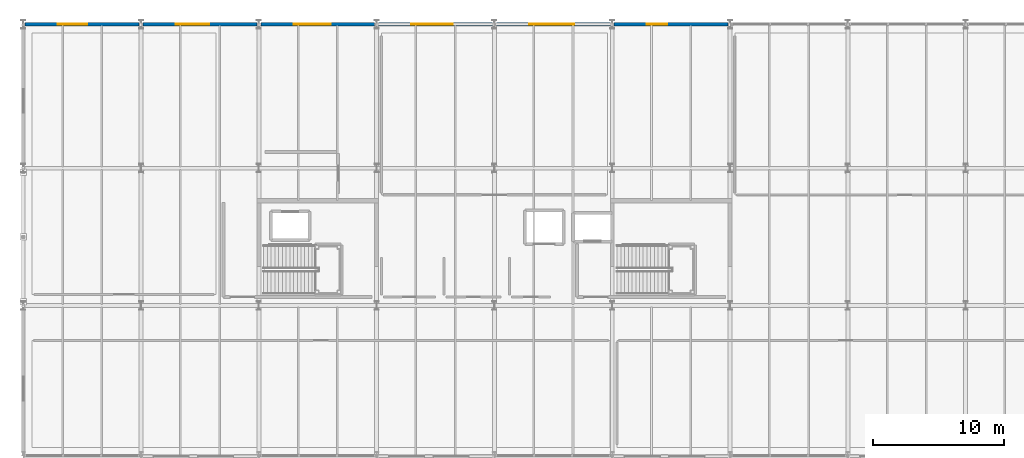
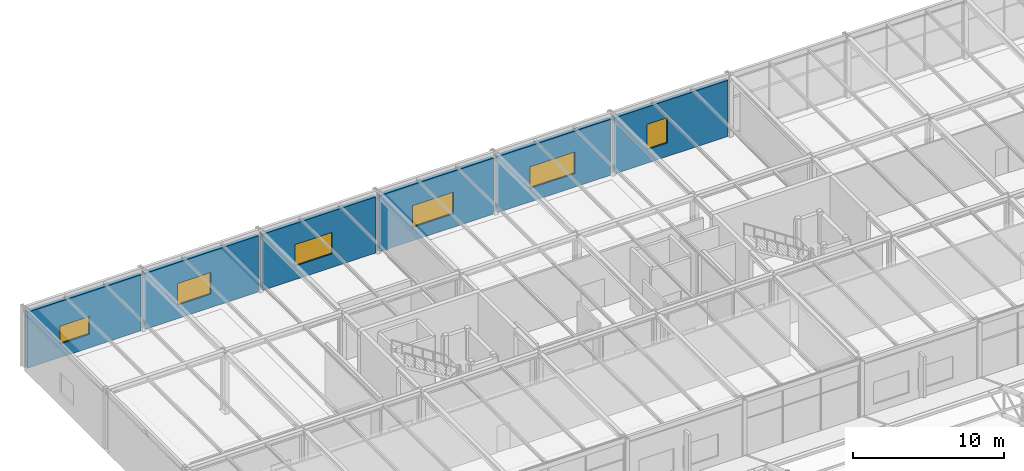
# One storey, part 115 of 195: 6 walls, 6 windows, 6 openings.
"""IFC4 building model written with IfcOpenShell, lengths in metres."""

from ifc_helpers import new_model, si_unit, direction, frame, frame_2d, origin, place, context, subcontext, project, spatial, rectangle, extrude, material, layer, layer_set, type_object, element, fill, save


model = new_model("IFC4")

# Units and contexts
model_context = context("Model", 3, precision=1e-05, world=origin(), true_north=direction((0.0, 1.0)))
body_context = subcontext(model_context, "Body", "Model", "MODEL_VIEW")
ifc_project = project(units=[si_unit("LENGTHUNIT", "METRE"), si_unit("AREAUNIT", "SQUARE_METRE"), si_unit("VOLUMEUNIT", "CUBIC_METRE"), si_unit("PLANEANGLEUNIT", "RADIAN"), si_unit("MASSUNIT", "GRAM", prefix="KILO")], contexts=[model_context])

# Site, building, storey
site_placement = place(None, origin())
site = spatial("IfcSite", under=ifc_project, at=site_placement, CompositionType="ELEMENT")
building_placement = place(site_placement, origin())
building = spatial("IfcBuilding", under=site, at=building_placement, Name="Marlcrest Central Station", CompositionType="ELEMENT")
storey_placement = place(building_placement, frame((0.0, 0.0, 9.800048828125)))
storey = spatial("IfcBuildingStorey", under=building, at=storey_placement, Name="L02", CompositionType="ELEMENT", Elevation=9.800048828125)

# Wall, opening, window
ifc_material_1 = material(Name="Concrete C40/50", Category="concrete")
ifc_layer = layer(ifc_material_1, 0.2900390625, Name="EW-02")
ifc_layer_set = layer_set([ifc_layer], Name="Concrete C40/50")
wall_type = type_object("IfcWallType", Name="EW-02", PredefinedType="SOLIDWALL", material=ifc_layer_set)
wall_1_placement = place(storey_placement, frame((0.14990234375, 132.0, 0.0), z_axis=(0.0, 0.0, 1.0), x_axis=(1.0, 0.0, 0.0)))
wall_1 = element("IfcWall", 1, at=wall_1_placement, inside=storey, type_object=wall_type, Name="ewall-L02-0132", PredefinedType="SOLIDWALL", context=body_context, shape_type="SweptSolid", body=[
    extrude(rectangle(XDim=8.7001953125, YDim=0.2900390625, at=frame_2d((4.35009765625, 0.0))), origin(), (0.0, 0.0, 1.0), 4.550048828125),
])
opening_1_placement = place(wall_1_placement, frame((2.5, 0.0, 1.10009765625)))
opening_1 = element("IfcOpeningElement", 2, at=opening_1_placement, cuts=wall_1, Name="Opening WN-16", PredefinedType="OPENING", context=body_context, shape_type="SweptSolid", body=[
    extrude(rectangle(XDim=2.25, YDim=1.449951171875, at=frame_2d((1.125, 0.72509765625))), frame((0.0, 0.155029296875, 0.0), z_axis=(0.0, -1.0, 0.0), x_axis=(1.0, 0.0, 0.0)), (0.0, 0.0, 1.0), 0.31005859375),
])
ifc_material_2 = material(Name="Thermally broken bronze-anodised aluminium and laminated low-E glass", Category="aluminium")
window_type_1 = type_object("IfcWindowType", Name="WN-16", PartitioningType="SINGLE_PANEL", PredefinedType="WINDOW", material=ifc_material_2)
window_1_placement = place(opening_1_placement, origin())
window_1 = element("IfcWindow", 3, at=window_1_placement, inside=storey, type_object=window_type_1, Name="ewin-L02-0085", OverallHeight=1.449951171875, OverallWidth=2.25, PartitioningType="SINGLE_PANEL", PredefinedType="WINDOW", context=body_context, shape_type="SweptSolid", body=[
    extrude(rectangle(XDim=2.25, YDim=1.449951171875, at=frame_2d((1.125, 0.72509765625))), frame((0.0, 0.030029296875, 0.0), z_axis=(0.0, -1.0, 0.0), x_axis=(1.0, 0.0, 0.0)), (0.0, 0.0, 1.0), 0.06005859375),
])
fill(opening_1, window_1)

wall_2_placement = place(storey_placement, frame((9.14990234375, 132.0, 0.0), z_axis=(0.0, 0.0, 1.0), x_axis=(1.0, 0.0, 0.0)))
wall_2 = element("IfcWall", 4, at=wall_2_placement, inside=storey, type_object=wall_type, Name="ewall-L02-0134", PredefinedType="SOLIDWALL", context=body_context, shape_type="SweptSolid", body=[
    extrude(rectangle(XDim=8.7001953125, YDim=0.2900390625, at=frame_2d((4.35009765625, 0.0))), origin(), (0.0, 0.0, 1.0), 4.550048828125),
])
opening_2_placement = place(wall_2_placement, frame((2.5, 0.0, 1.10009765625)))
opening_2 = element("IfcOpeningElement", 5, at=opening_2_placement, cuts=wall_2, Name="Opening WN-17", PredefinedType="OPENING", context=body_context, shape_type="SweptSolid", body=[
    extrude(rectangle(XDim=2.550048828125, YDim=1.75, at=frame_2d((1.27490234375, 0.875))), frame((0.0, 0.155029296875, 0.0), z_axis=(0.0, -1.0, 0.0), x_axis=(1.0, 0.0, 0.0)), (0.0, 0.0, 1.0), 0.31005859375),
])
window_type_2 = type_object("IfcWindowType", Name="WN-17", PartitioningType="SINGLE_PANEL", PredefinedType="WINDOW", material=ifc_material_2)
window_2_placement = place(opening_2_placement, origin())
window_2 = element("IfcWindow", 6, at=window_2_placement, inside=storey, type_object=window_type_2, Name="ewin-L02-0088", OverallHeight=1.75, OverallWidth=2.550048828125, PartitioningType="SINGLE_PANEL", PredefinedType="WINDOW", context=body_context, shape_type="SweptSolid", body=[
    extrude(rectangle(XDim=2.550048828125, YDim=1.75, at=frame_2d((1.27490234375, 0.875))), frame((0.0, 0.030029296875, 0.0), z_axis=(0.0, -1.0, 0.0), x_axis=(1.0, 0.0, 0.0)), (0.0, 0.0, 1.0), 0.06005859375),
])
fill(opening_2, window_2)

wall_3_placement = place(storey_placement, frame((18.14990234375, 132.0, 0.0), z_axis=(0.0, 0.0, 1.0), x_axis=(1.0, 0.0, 0.0)))
wall_3 = element("IfcWall", 7, at=wall_3_placement, inside=storey, type_object=wall_type, Name="ewall-L02-0135", PredefinedType="SOLIDWALL", context=body_context, shape_type="SweptSolid", body=[
    extrude(rectangle(XDim=8.7001953125, YDim=0.2900390625, at=frame_2d((4.35009765625, 0.0))), origin(), (0.0, 0.0, 1.0), 4.550048828125),
])
opening_3_placement = place(wall_3_placement, frame((2.5, 0.0, 1.10009765625)))
opening_3 = element("IfcOpeningElement", 8, at=opening_3_placement, cuts=wall_3, Name="Opening WN-18", PredefinedType="OPENING", context=body_context, shape_type="SweptSolid", body=[
    extrude(rectangle(XDim=2.85009765625, YDim=1.75, at=frame_2d((1.425048828125, 0.875))), frame((0.0, 0.155029296875, 0.0), z_axis=(0.0, -1.0, 0.0), x_axis=(1.0, 0.0, 0.0)), (0.0, 0.0, 1.0), 0.31005859375),
])
window_type_3 = type_object("IfcWindowType", Name="WN-18", PartitioningType="SINGLE_PANEL", PredefinedType="WINDOW", material=ifc_material_2)
window_3_placement = place(opening_3_placement, origin())
window_3 = element("IfcWindow", 9, at=window_3_placement, inside=storey, type_object=window_type_3, Name="ewin-L02-0089", OverallHeight=1.75, OverallWidth=2.85009765625, PartitioningType="SINGLE_PANEL", PredefinedType="WINDOW", context=body_context, shape_type="SweptSolid", body=[
    extrude(rectangle(XDim=2.85009765625, YDim=1.75, at=frame_2d((1.425048828125, 0.875))), frame((0.0, 0.030029296875, 0.0), z_axis=(0.0, -1.0, 0.0), x_axis=(1.0, 0.0, 0.0)), (0.0, 0.0, 1.0), 0.06005859375),
])
fill(opening_3, window_3)

wall_4_placement = place(storey_placement, frame((27.14990234375, 132.0, 0.0), z_axis=(0.0, 0.0, 1.0), x_axis=(1.0, 0.0, 0.0)))
wall_4 = element("IfcWall", 10, at=wall_4_placement, inside=storey, type_object=wall_type, Name="ewall-L02-0137", PredefinedType="SOLIDWALL", context=body_context, shape_type="SweptSolid", body=[
    extrude(rectangle(XDim=8.7001953125, YDim=0.2900390625, at=frame_2d((4.35009765625, 0.0))), origin(), (0.0, 0.0, 1.0), 4.550048828125),
])
opening_4_placement = place(wall_4_placement, frame((2.5, 0.0, 1.10009765625)))
opening_4 = element("IfcOpeningElement", 11, at=opening_4_placement, cuts=wall_4, Name="Opening WN-19", PredefinedType="OPENING", context=body_context, shape_type="SweptSolid", body=[
    extrude(rectangle(XDim=3.14990234375, YDim=1.75, at=frame_2d((1.574951171875, 0.875))), frame((0.0, 0.155029296875, 0.0), z_axis=(0.0, -1.0, 0.0), x_axis=(1.0, 0.0, 0.0)), (0.0, 0.0, 1.0), 0.31005859375),
])
window_type_4 = type_object("IfcWindowType", Name="WN-19", PartitioningType="SINGLE_PANEL", PredefinedType="WINDOW", material=ifc_material_2)
window_4_placement = place(opening_4_placement, origin())
window_4 = element("IfcWindow", 12, at=window_4_placement, inside=storey, type_object=window_type_4, Name="ewin-L02-0092", OverallHeight=1.75, OverallWidth=3.14990234375, PartitioningType="SINGLE_PANEL", PredefinedType="WINDOW", context=body_context, shape_type="SweptSolid", body=[
    extrude(rectangle(XDim=3.14990234375, YDim=1.75, at=frame_2d((1.574951171875, 0.875))), frame((0.0, 0.030029296875, 0.0), z_axis=(0.0, -1.0, 0.0), x_axis=(1.0, 0.0, 0.0)), (0.0, 0.0, 1.0), 0.06005859375),
])
fill(opening_4, window_4)

wall_5_placement = place(storey_placement, frame((36.14990234375, 132.0, 0.0), z_axis=(0.0, 0.0, 1.0), x_axis=(1.0, 0.0, 0.0)))
wall_5 = element("IfcWall", 13, at=wall_5_placement, inside=storey, type_object=wall_type, Name="ewall-L02-0138", PredefinedType="SOLIDWALL", context=body_context, shape_type="SweptSolid", body=[
    extrude(rectangle(XDim=8.7001953125, YDim=0.2900390625, at=frame_2d((4.35009765625, 0.0))), origin(), (0.0, 0.0, 1.0), 4.550048828125),
])
opening_5_placement = place(wall_5_placement, frame((2.5, 0.0, 1.10009765625)))
opening_5 = element("IfcOpeningElement", 14, at=opening_5_placement, cuts=wall_5, Name="Opening WN-20", PredefinedType="OPENING", context=body_context, shape_type="SweptSolid", body=[
    extrude(rectangle(XDim=3.449951171875, YDim=1.75, at=frame_2d((1.72509765625, 0.875))), frame((0.0, 0.155029296875, 0.0), z_axis=(0.0, -1.0, 0.0), x_axis=(1.0, 0.0, 0.0)), (0.0, 0.0, 1.0), 0.31005859375),
])
window_type_5 = type_object("IfcWindowType", Name="WN-20", PartitioningType="SINGLE_PANEL", PredefinedType="WINDOW", material=ifc_material_2)
window_5_placement = place(opening_5_placement, origin())
window_5 = element("IfcWindow", 15, at=window_5_placement, inside=storey, type_object=window_type_5, Name="ewin-L02-0093", OverallHeight=1.75, OverallWidth=3.449951171875, PartitioningType="SINGLE_PANEL", PredefinedType="WINDOW", context=body_context, shape_type="SweptSolid", body=[
    extrude(rectangle(XDim=3.449951171875, YDim=1.75, at=frame_2d((1.72509765625, 0.875))), frame((0.0, 0.030029296875, 0.0), z_axis=(0.0, -1.0, 0.0), x_axis=(1.0, 0.0, 0.0)), (0.0, 0.0, 1.0), 0.06005859375),
])
fill(opening_5, window_5)

wall_6_placement = place(storey_placement, frame((45.14990234375, 132.0, 0.0), z_axis=(0.0, 0.0, 1.0), x_axis=(1.0, 0.0, 0.0)))
wall_6 = element("IfcWall", 16, at=wall_6_placement, inside=storey, type_object=wall_type, Name="ewall-L02-0140", PredefinedType="SOLIDWALL", context=body_context, shape_type="SweptSolid", body=[
    extrude(rectangle(XDim=8.7001953125, YDim=0.2900390625, at=frame_2d((4.35009765625, 0.0))), origin(), (0.0, 0.0, 1.0), 4.550048828125),
])
opening_6_placement = place(wall_6_placement, frame((2.5, 0.0, 1.10009765625)))
opening_6 = element("IfcOpeningElement", 17, at=opening_6_placement, cuts=wall_6, Name="Opening WN-21", PredefinedType="OPENING", context=body_context, shape_type="SweptSolid", body=[
    extrude(rectangle(XDim=1.550048828125, YDim=2.050048828125, at=frame_2d((0.77490234375, 1.02490234375))), frame((0.0, 0.155029296875, 0.0), z_axis=(0.0, -1.0, 0.0), x_axis=(1.0, 0.0, 0.0)), (0.0, 0.0, 1.0), 0.31005859375),
])
window_type_6 = type_object("IfcWindowType", Name="WN-21", PartitioningType="SINGLE_PANEL", PredefinedType="WINDOW", material=ifc_material_2)
window_6_placement = place(opening_6_placement, origin())
window_6 = element("IfcWindow", 18, at=window_6_placement, inside=storey, type_object=window_type_6, Name="ewin-L02-0096", OverallHeight=2.050048828125, OverallWidth=1.550048828125, PartitioningType="SINGLE_PANEL", PredefinedType="WINDOW", context=body_context, shape_type="SweptSolid", body=[
    extrude(rectangle(XDim=1.550048828125, YDim=2.050048828125, at=frame_2d((0.77490234375, 1.02490234375))), frame((0.0, 0.030029296875, 0.0), z_axis=(0.0, -1.0, 0.0), x_axis=(1.0, 0.0, 0.0)), (0.0, 0.0, 1.0), 0.06005859375),
])
fill(opening_6, window_6)

save(model, "model.ifc")
